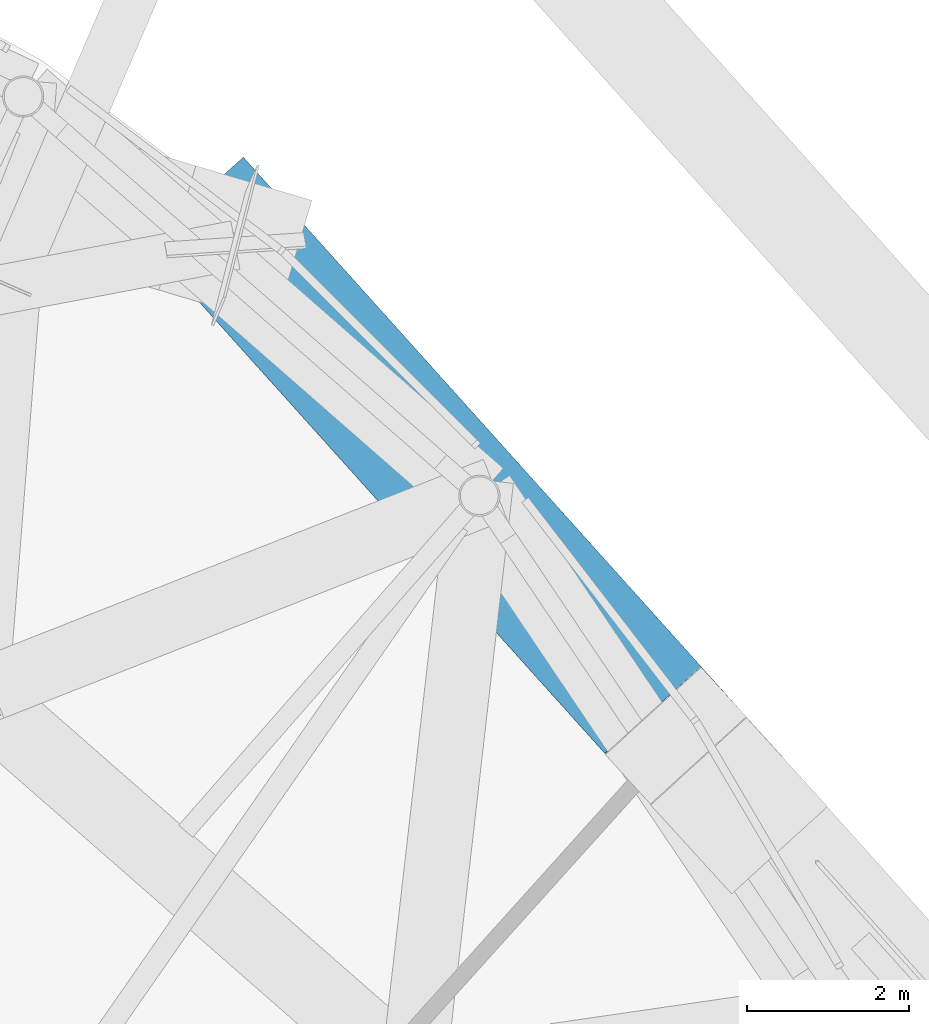
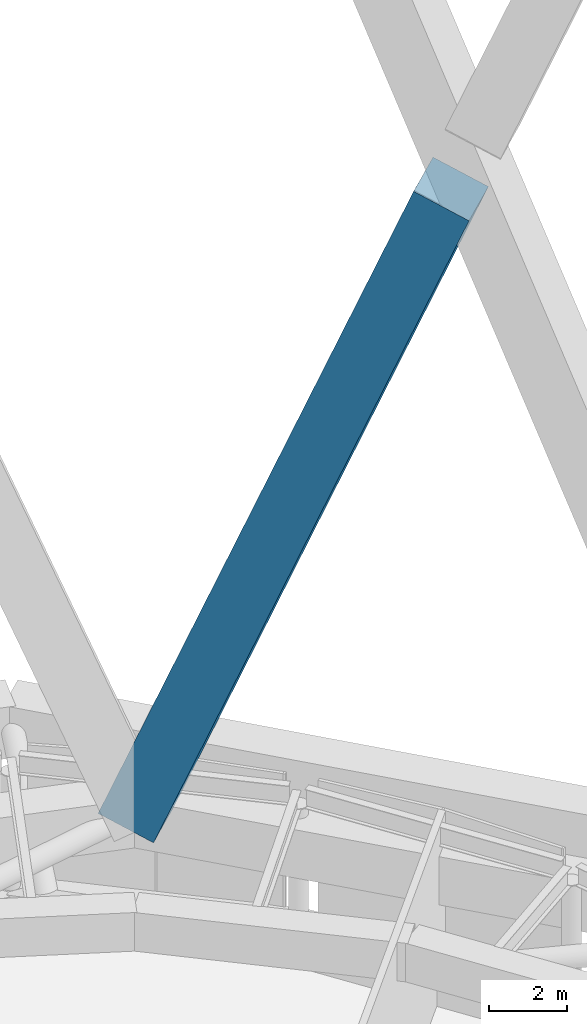
# One storey, part 49 of 65: 1 member.
"""IFC4 building model written with IfcOpenShell, lengths in metres."""

from ifc_helpers import new_model, si_unit, direction, frame, origin, origin_2d, place, context, subcontext, project, spatial, rectangle, extrude, material, material_profile, profile_set, type_object, element, save


model = new_model("IFC4")

# Units and contexts
model_context = context("Model", 3, precision=1e-05, world=origin(), true_north=direction((0.0, 1.0)))
body_context = subcontext(model_context, "Body", "Model", "MODEL_VIEW")
ifc_project = project(units=[si_unit("LENGTHUNIT", "METRE"), si_unit("AREAUNIT", "SQUARE_METRE"), si_unit("VOLUMEUNIT", "CUBIC_METRE"), si_unit("PLANEANGLEUNIT", "RADIAN"), si_unit("MASSUNIT", "GRAM", prefix="KILO")], contexts=[model_context])

# Site, building, storey
site_placement = place(None, origin())
site = spatial("IfcSite", under=ifc_project, at=site_placement, CompositionType="ELEMENT")
building_placement = place(site_placement, origin())
building = spatial("IfcBuilding", under=site, at=building_placement, Name="Nagisa Residences", CompositionType="ELEMENT")
storey_placement = place(building_placement, frame((0.0, 0.0, 114.0)))
storey = spatial("IfcBuildingStorey", under=building, at=storey_placement, Name="L28", CompositionType="ELEMENT", Elevation=114.0)

# Member
ifc_material = material(Name="Concrete C80", Category="concrete")
ifc_material_profile = material_profile(ifc_material, rectangle(XDim=1.60009765625, YDim=1.60009765625, at=origin_2d()), Name="C80 1600x1600")
ifc_profile_set = profile_set([ifc_material_profile], Name="Concrete C80")
member_type = type_object("IfcMemberType", Name="Cage diagonal 3 C80 1600x1600", PredefinedType="BRACE", material=ifc_profile_set)
member_placement = place(storey_placement, frame((14.41748046875, 28.1416015625, 3.699951171875), z_axis=(0.247775784917, -0.275736835489, 0.928749889886), x_axis=(0.743813506148, 0.668387214175, 0.0)))
element("IfcMember", 1, at=member_placement, inside=storey, type_object=member_type, Name="mem:L28:cg3d004a", PredefinedType="BRACE", context=body_context, shape_type="SweptSolid", body=[
    extrude(rectangle(XDim=1.60009765625, YDim=1.60009765625, at=origin_2d()), origin(), (0.0, 0.0, 1.0), 22.815185546875),
])

save(model, "model.ifc")
